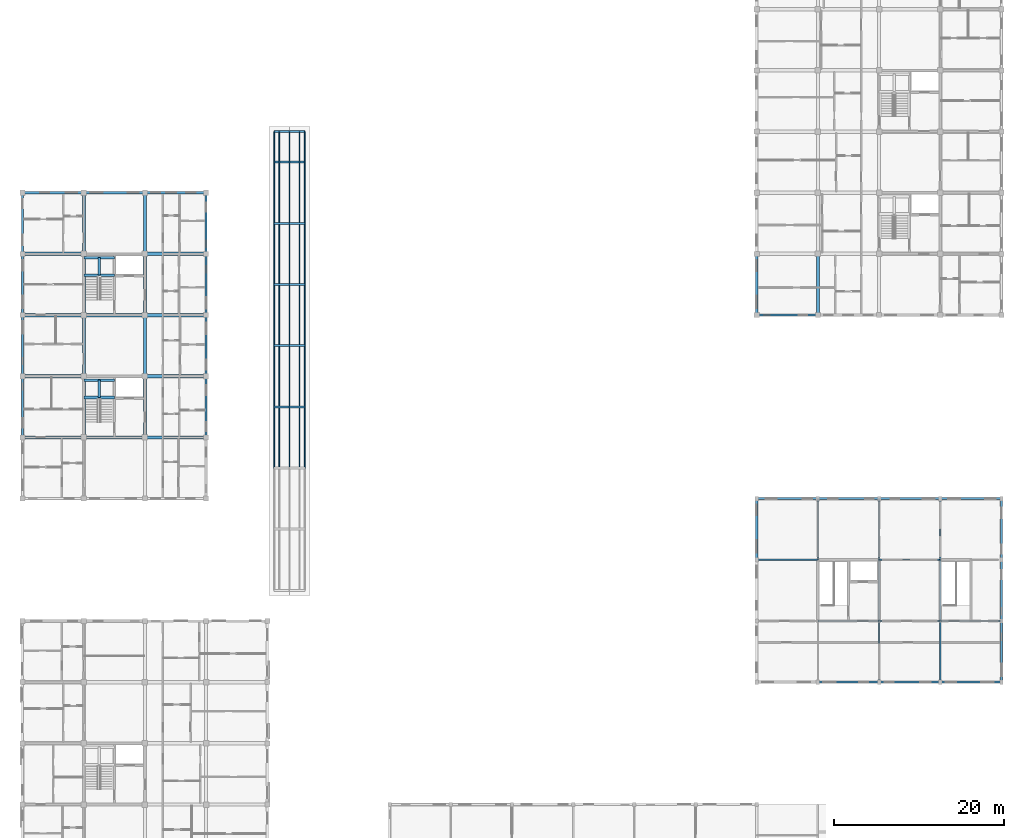
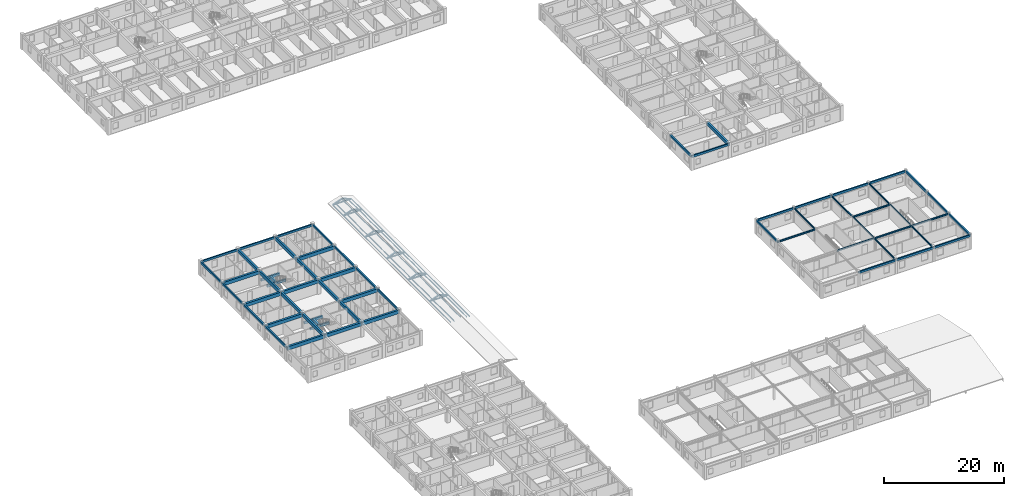
# One storey, part 10 of 50: 79 beams, 30 members.
"""IFC4 building model written with IfcOpenShell, lengths in metres."""

from ifc_helpers import new_model, si_unit, direction, frame, origin, origin_2d, place, context, subcontext, project, spatial, rectangle, i_section, extrude, material, material_profile, profile_set, type_object, element, save


model = new_model("IFC4")

# Units and contexts
model_context = context("Model", 3, precision=1e-05, world=origin(), true_north=direction((0.0, 1.0)))
body_context = subcontext(model_context, "Body", "Model", "MODEL_VIEW")
ifc_project = project(units=[si_unit("LENGTHUNIT", "METRE"), si_unit("AREAUNIT", "SQUARE_METRE"), si_unit("VOLUMEUNIT", "CUBIC_METRE"), si_unit("PLANEANGLEUNIT", "RADIAN"), si_unit("MASSUNIT", "GRAM", prefix="KILO"), si_unit("THERMODYNAMICTEMPERATUREUNIT", "KELVIN"), si_unit("POWERUNIT", "WATT")], contexts=[model_context])

# Site, building, storey
site_placement = place(None, origin())
site = spatial("IfcSite", under=ifc_project, at=site_placement, CompositionType="ELEMENT")
building_placement = place(site_placement, origin())
building = spatial("IfcBuilding", under=site, at=building_placement, Name="Tavuni Mirador Residences", CompositionType="ELEMENT")
storey_placement = place(building_placement, frame((0.0, 0.0, 4.5)))
storey = spatial("IfcBuildingStorey", under=building, at=storey_placement, Name="L01", CompositionType="ELEMENT", Elevation=4.5)

# Beams
ifc_material_1 = material(Name="Precast concrete C40/50", Category="concrete")
ifc_material_profile_1 = material_profile(ifc_material_1, rectangle(XDim=0.300048828125, YDim=0.5, at=origin_2d()), Name="PC 300x500", Category="concrete")
ifc_profile_set_1 = profile_set([ifc_material_profile_1], Name="Precast concrete C40/50")
beam_type_1 = type_object("IfcBeamType", Name="BT-B500", PredefinedType="BEAM", material=ifc_profile_set_1)
for number, where, z_axis, x_axis, name in (
    (1, (10.800048828125, 76.699951171875, 1.14501953125), (1.0, 0.0, 0.0), (0.0, 1.0, 0.0), "HLB1-C3-L01"),
    (2, (10.800048828125, 78.75, 1.14501953125), (1.0, 0.0, 0.0), (0.0, 1.0, 0.0), "HLB2-C3-L01"),
):
    element("IfcBeam", number, at=place(storey_placement, frame(where, z_axis=z_axis, x_axis=x_axis)), inside=storey, type_object=beam_type_1, Name=name, PredefinedType="BEAM", context=body_context, shape_type="SweptSolid", body=[
        extrude(rectangle(XDim=0.300048828125, YDim=0.5, at=origin_2d()), origin(), (0.0, 0.0, 1.0), 3.599853515625),
    ])
beam_1_placement = place(storey_placement, frame((12.60009765625, 76.699951171875, 1.14501953125), z_axis=(0.0, 1.0, 0.0), x_axis=(-1.0, 0.0, 0.0)))
element("IfcBeam", 3, at=beam_1_placement, inside=storey, type_object=beam_type_1, Name="HLB3-C3-L01", PredefinedType="BEAM", context=body_context, shape_type="SweptSolid", body=[
    extrude(rectangle(XDim=0.300048828125, YDim=0.5, at=origin_2d()), origin(), (0.0, 0.0, 1.0), 2.050048828125),
])
for number, where, z_axis, x_axis, name in (
    (4, (10.800048828125, 91.10009765625, 1.14501953125), (1.0, 0.0, 0.0), (0.0, 1.0, 0.0), "HLB1-C4-L01"),
    (5, (10.800048828125, 93.14990234375, 1.14501953125), (1.0, 0.0, 0.0), (0.0, 1.0, 0.0), "HLB2-C4-L01"),
):
    element("IfcBeam", number, at=place(storey_placement, frame(where, z_axis=z_axis, x_axis=x_axis)), inside=storey, type_object=beam_type_1, Name=name, PredefinedType="BEAM", context=body_context, shape_type="SweptSolid", body=[
        extrude(rectangle(XDim=0.300048828125, YDim=0.5, at=origin_2d()), origin(), (0.0, 0.0, 1.0), 3.599853515625),
    ])
beam_2_placement = place(storey_placement, frame((12.60009765625, 91.10009765625, 1.14501953125), z_axis=(0.0, 1.0, 0.0), x_axis=(-1.0, 0.0, 0.0)))
element("IfcBeam", 6, at=beam_2_placement, inside=storey, type_object=beam_type_1, Name="HLB3-C4-L01", PredefinedType="BEAM", context=body_context, shape_type="SweptSolid", body=[
    extrude(rectangle(XDim=0.300048828125, YDim=0.5, at=origin_2d()), origin(), (0.0, 0.0, 1.0), 2.0498046875),
])
ifc_material_profile_2 = material_profile(ifc_material_1, rectangle(XDim=0.35009765625, YDim=0.64990234375, at=origin_2d()), Name="PC 350x650", Category="concrete")
ifc_profile_set_2 = profile_set([ifc_material_profile_2], Name="Precast concrete C40/50")
beam_type_2 = type_object("IfcBeamType", Name="BT-B650", PredefinedType="BEAM", material=ifc_profile_set_2)
for number, where, z_axis, x_axis, name in (
    (7, (10.800048828125, 72.0, 2.5849609375), (0.0, 1.0, 0.0), (-1.0, 0.0, 0.0), "BMY-BLK-B-L01-01-01"),
    (8, (10.800048828125, 79.199951171875, 2.5849609375), (0.0, 1.0, 0.0), (-1.0, 0.0, 0.0), "BMY-BLK-B-L01-01-02"),
):
    element("IfcBeam", number, at=place(storey_placement, frame(where, z_axis=z_axis, x_axis=x_axis)), inside=storey, type_object=beam_type_2, Name=name, PredefinedType="BEAM", context=body_context, shape_type="SweptSolid", body=[
        extrude(rectangle(XDim=0.35009765625, YDim=0.64990234375, at=origin_2d()), origin(), (0.0, 0.0, 1.0), 7.199951171875),
    ])
beam_3_placement = place(storey_placement, frame((10.800048828125, 86.39990234375, 2.5849609375), z_axis=(0.0, 1.0, 0.0), x_axis=(-1.0, 0.0, 0.0)))
element("IfcBeam", 9, at=beam_3_placement, inside=storey, type_object=beam_type_2, Name="BMY-BLK-B-L01-01-03", PredefinedType="BEAM", context=body_context, shape_type="SweptSolid", body=[
    extrude(rectangle(XDim=0.35009765625, YDim=0.64990234375, at=origin_2d()), origin(), (0.0, 0.0, 1.0), 7.2001953125),
])
for number, where, z_axis, x_axis, name in (
    (10, (10.800048828125, 93.60009765625, 2.5849609375), (0.0, 1.0, 0.0), (-1.0, 0.0, 0.0), "BMY-BLK-B-L01-01-04"),
    (11, (18.0, 72.0, 2.5849609375), (0.0, 1.0, 0.0), (-1.0, 0.0, 0.0), "BMY-BLK-B-L01-02-01"),
    (12, (18.0, 79.199951171875, 2.5849609375), (0.0, 1.0, 0.0), (-1.0, 0.0, 0.0), "BMY-BLK-B-L01-02-02"),
):
    element("IfcBeam", number, at=place(storey_placement, frame(where, z_axis=z_axis, x_axis=x_axis)), inside=storey, type_object=beam_type_2, Name=name, PredefinedType="BEAM", context=body_context, shape_type="SweptSolid", body=[
        extrude(rectangle(XDim=0.35009765625, YDim=0.64990234375, at=origin_2d()), origin(), (0.0, 0.0, 1.0), 7.199951171875),
    ])
beam_4_placement = place(storey_placement, frame((18.0, 86.39990234375, 2.5849609375), z_axis=(0.0, 1.0, 0.0), x_axis=(-1.0, 0.0, 0.0)))
element("IfcBeam", 13, at=beam_4_placement, inside=storey, type_object=beam_type_2, Name="BMY-BLK-B-L01-02-03", PredefinedType="BEAM", context=body_context, shape_type="SweptSolid", body=[
    extrude(rectangle(XDim=0.35009765625, YDim=0.64990234375, at=origin_2d()), origin(), (0.0, 0.0, 1.0), 7.2001953125),
])
beam_5_placement = place(storey_placement, frame((18.0, 93.60009765625, 2.5849609375), z_axis=(0.0, 1.0, 0.0), x_axis=(-1.0, 0.0, 0.0)))
element("IfcBeam", 14, at=beam_5_placement, inside=storey, type_object=beam_type_2, Name="BMY-BLK-B-L01-02-04", PredefinedType="BEAM", context=body_context, shape_type="SweptSolid", body=[
    extrude(rectangle(XDim=0.35009765625, YDim=0.64990234375, at=origin_2d()), origin(), (0.0, 0.0, 1.0), 7.199951171875),
])
beam_6_placement = place(storey_placement, frame((97.199951171875, 86.39990234375, 2.56494140625), z_axis=(0.0, 1.0, 0.0), x_axis=(-1.0, 0.0, 0.0)))
element("IfcBeam", 15, at=beam_6_placement, inside=storey, type_object=beam_type_2, Name="BMY-BLK-D-L01-01-00", PredefinedType="BEAM", context=body_context, shape_type="SweptSolid", body=[
    extrude(rectangle(XDim=0.35009765625, YDim=0.64990234375, at=origin_2d()), origin(), (0.0, 0.0, 1.0), 7.2001953125),
])
ifc_material_profile_3 = material_profile(ifc_material_1, rectangle(XDim=0.39990234375, YDim=0.699951171875, at=origin_2d()), Name="PC 400x700", Category="concrete")
ifc_profile_set_3 = profile_set([ifc_material_profile_3], Name="Precast concrete C40/50")
beam_type_3 = type_object("IfcBeamType", Name="BT-B700", PredefinedType="BEAM", material=ifc_profile_set_3)
for number, where, z_axis, x_axis, name in (
    (16, (3.60009765625, 72.0, 2.56005859375), (1.0, 0.0, 0.0), (0.0, 1.0, 0.0), "BMX-BLK-B-L01-00-01"),
    (17, (10.800048828125, 72.0, 2.56005859375), (1.0, 0.0, 0.0), (0.0, 1.0, 0.0), "BMX-BLK-B-L01-01-01"),
    (18, (18.0, 72.0, 2.56005859375), (1.0, 0.0, 0.0), (0.0, 1.0, 0.0), "BMX-BLK-B-L01-02-01"),
    (19, (3.60009765625, 79.199951171875, 2.56005859375), (1.0, 0.0, 0.0), (0.0, 1.0, 0.0), "BMX-BLK-B-L01-00-02"),
    (20, (18.0, 79.199951171875, 2.56005859375), (1.0, 0.0, 0.0), (0.0, 1.0, 0.0), "BMX-BLK-B-L01-02-02"),
    (21, (3.60009765625, 86.39990234375, 2.56005859375), (1.0, 0.0, 0.0), (0.0, 1.0, 0.0), "BMX-BLK-B-L01-00-03"),
    (22, (10.800048828125, 86.39990234375, 2.56005859375), (1.0, 0.0, 0.0), (0.0, 1.0, 0.0), "BMX-BLK-B-L01-01-03"),
    (23, (18.0, 86.39990234375, 2.56005859375), (1.0, 0.0, 0.0), (0.0, 1.0, 0.0), "BMX-BLK-B-L01-02-03"),
    (24, (3.60009765625, 93.60009765625, 2.56005859375), (1.0, 0.0, 0.0), (0.0, 1.0, 0.0), "BMX-BLK-B-L01-00-04"),
    (25, (18.0, 93.60009765625, 2.56005859375), (1.0, 0.0, 0.0), (0.0, 1.0, 0.0), "BMX-BLK-B-L01-02-04"),
):
    element("IfcBeam", number, at=place(storey_placement, frame(where, z_axis=z_axis, x_axis=x_axis)), inside=storey, type_object=beam_type_3, Name=name, PredefinedType="BEAM", context=body_context, shape_type="SweptSolid", body=[
        extrude(rectangle(XDim=0.39990234375, YDim=0.699951171875, at=origin_2d()), origin(), (0.0, 0.0, 1.0), 7.199951171875),
    ])
ifc_material_profile_4 = material_profile(ifc_material_1, rectangle(XDim=0.25, YDim=0.419921875, at=origin_2d()), Name="PC 250x420", Category="concrete")
ifc_profile_set_4 = profile_set([ifc_material_profile_4], Name="Precast concrete C40/50")
beam_type_4 = type_object("IfcBeamType", Name="BT-SP420", PredefinedType="SPANDREL", material=ifc_profile_set_4)
for number, where, z_axis, x_axis, name in (
    (26, (3.60009765625, 100.800048828125, 2.699951171875), (1.0, 0.0, 0.0), (0.0, 1.0, 0.0), "BMX-BLK-B-L01-00-05"),
    (27, (10.800048828125, 100.800048828125, 2.699951171875), (1.0, 0.0, 0.0), (0.0, 1.0, 0.0), "BMX-BLK-B-L01-01-05"),
    (28, (18.0, 100.800048828125, 2.699951171875), (1.0, 0.0, 0.0), (0.0, 1.0, 0.0), "BMX-BLK-B-L01-02-05"),
    (29, (3.60009765625, 72.0, 2.699951171875), (0.0, 1.0, 0.0), (-1.0, 0.0, 0.0), "BMY-BLK-B-L01-00-01"),
    (30, (3.60009765625, 79.199951171875, 2.699951171875), (0.0, 1.0, 0.0), (-1.0, 0.0, 0.0), "BMY-BLK-B-L01-00-02"),
):
    element("IfcBeam", number, at=place(storey_placement, frame(where, z_axis=z_axis, x_axis=x_axis)), inside=storey, type_object=beam_type_4, Name=name, PredefinedType="SPANDREL", context=body_context, shape_type="SweptSolid", body=[
        extrude(rectangle(XDim=0.25, YDim=0.419921875, at=origin_2d()), origin(), (0.0, 0.0, 1.0), 7.199951171875),
    ])
beam_7_placement = place(storey_placement, frame((3.60009765625, 86.39990234375, 2.699951171875), z_axis=(0.0, 1.0, 0.0), x_axis=(-1.0, 0.0, 0.0)))
element("IfcBeam", 31, at=beam_7_placement, inside=storey, type_object=beam_type_4, Name="BMY-BLK-B-L01-00-03", PredefinedType="SPANDREL", context=body_context, shape_type="SweptSolid", body=[
    extrude(rectangle(XDim=0.25, YDim=0.419921875, at=origin_2d()), origin(), (0.0, 0.0, 1.0), 7.2001953125),
])
for number, where, z_axis, x_axis, name in (
    (32, (3.60009765625, 93.60009765625, 2.699951171875), (0.0, 1.0, 0.0), (-1.0, 0.0, 0.0), "BMY-BLK-B-L01-00-04"),
    (33, (25.199951171875, 72.0, 2.699951171875), (0.0, 1.0, 0.0), (-1.0, 0.0, 0.0), "BMY-BLK-B-L01-03-01"),
    (34, (25.199951171875, 79.199951171875, 2.699951171875), (0.0, 1.0, 0.0), (-1.0, 0.0, 0.0), "BMY-BLK-B-L01-03-02"),
):
    element("IfcBeam", number, at=place(storey_placement, frame(where, z_axis=z_axis, x_axis=x_axis)), inside=storey, type_object=beam_type_4, Name=name, PredefinedType="SPANDREL", context=body_context, shape_type="SweptSolid", body=[
        extrude(rectangle(XDim=0.25, YDim=0.419921875, at=origin_2d()), origin(), (0.0, 0.0, 1.0), 7.199951171875),
    ])
beam_8_placement = place(storey_placement, frame((25.199951171875, 86.39990234375, 2.699951171875), z_axis=(0.0, 1.0, 0.0), x_axis=(-1.0, 0.0, 0.0)))
element("IfcBeam", 35, at=beam_8_placement, inside=storey, type_object=beam_type_4, Name="BMY-BLK-B-L01-03-03", PredefinedType="SPANDREL", context=body_context, shape_type="SweptSolid", body=[
    extrude(rectangle(XDim=0.25, YDim=0.419921875, at=origin_2d()), origin(), (0.0, 0.0, 1.0), 7.2001953125),
])
for number, where, z_axis, x_axis, name in (
    (36, (25.199951171875, 93.60009765625, 2.699951171875), (0.0, 1.0, 0.0), (-1.0, 0.0, 0.0), "BMY-BLK-B-L01-03-04"),
    (37, (90.0, 86.39990234375, 2.679931640625), (1.0, 0.0, 0.0), (0.0, 1.0, 0.0), "BMX-BLK-D-L01-00-00"),
):
    element("IfcBeam", number, at=place(storey_placement, frame(where, z_axis=z_axis, x_axis=x_axis)), inside=storey, type_object=beam_type_4, Name=name, PredefinedType="SPANDREL", context=body_context, shape_type="SweptSolid", body=[
        extrude(rectangle(XDim=0.25, YDim=0.419921875, at=origin_2d()), origin(), (0.0, 0.0, 1.0), 7.199951171875),
    ])
beam_9_placement = place(storey_placement, frame((90.0, 86.39990234375, 2.679931640625), z_axis=(0.0, 1.0, 0.0), x_axis=(-1.0, 0.0, 0.0)))
element("IfcBeam", 38, at=beam_9_placement, inside=storey, type_object=beam_type_4, Name="BMY-BLK-D-L01-00-00", PredefinedType="SPANDREL", context=body_context, shape_type="SweptSolid", body=[
    extrude(rectangle(XDim=0.25, YDim=0.419921875, at=origin_2d()), origin(), (0.0, 0.0, 1.0), 7.2001953125),
])
beam_10_placement = place(storey_placement, frame((97.199951171875, 43.199951171875, 2.7099609375), z_axis=(1.0, 0.0, 0.0), x_axis=(0.0, 1.0, 0.0)))
element("IfcBeam", 39, at=beam_10_placement, inside=storey, type_object=beam_type_4, Name="BMX-PAV-NURS-L01-01-00", PredefinedType="SPANDREL", context=body_context, shape_type="SweptSolid", body=[
    extrude(rectangle(XDim=0.25, YDim=0.419921875, at=origin_2d()), origin(), (0.0, 0.0, 1.0), 7.199951171875),
])
beam_11_placement = place(storey_placement, frame((104.39990234375, 43.199951171875, 2.7099609375), z_axis=(1.0, 0.0, 0.0), x_axis=(0.0, 1.0, 0.0)))
element("IfcBeam", 40, at=beam_11_placement, inside=storey, type_object=beam_type_4, Name="BMX-PAV-NURS-L01-02-00", PredefinedType="SPANDREL", context=body_context, shape_type="SweptSolid", body=[
    extrude(rectangle(XDim=0.25, YDim=0.419921875, at=origin_2d()), origin(), (0.0, 0.0, 1.0), 7.2001953125),
])
for number, where, z_axis, x_axis, name in (
    (41, (111.60009765625, 43.199951171875, 2.7099609375), (1.0, 0.0, 0.0), (0.0, 1.0, 0.0), "BMX-PAV-NURS-L01-03-00"),
    (42, (90.0, 64.800048828125, 2.7099609375), (1.0, 0.0, 0.0), (0.0, 1.0, 0.0), "BMX-PAV-NURS-L01-00-03"),
    (43, (97.199951171875, 64.800048828125, 2.7099609375), (1.0, 0.0, 0.0), (0.0, 1.0, 0.0), "BMX-PAV-NURS-L01-01-03"),
):
    element("IfcBeam", number, at=place(storey_placement, frame(where, z_axis=z_axis, x_axis=x_axis)), inside=storey, type_object=beam_type_4, Name=name, PredefinedType="SPANDREL", context=body_context, shape_type="SweptSolid", body=[
        extrude(rectangle(XDim=0.25, YDim=0.419921875, at=origin_2d()), origin(), (0.0, 0.0, 1.0), 7.199951171875),
    ])
beam_12_placement = place(storey_placement, frame((104.39990234375, 64.800048828125, 2.7099609375), z_axis=(1.0, 0.0, 0.0), x_axis=(0.0, 1.0, 0.0)))
element("IfcBeam", 44, at=beam_12_placement, inside=storey, type_object=beam_type_4, Name="BMX-PAV-NURS-L01-02-03", PredefinedType="SPANDREL", context=body_context, shape_type="SweptSolid", body=[
    extrude(rectangle(XDim=0.25, YDim=0.419921875, at=origin_2d()), origin(), (0.0, 0.0, 1.0), 7.2001953125),
])
for number, where, z_axis, x_axis, name in (
    (45, (111.60009765625, 64.800048828125, 2.7099609375), (1.0, 0.0, 0.0), (0.0, 1.0, 0.0), "BMX-PAV-NURS-L01-03-03"),
    (46, (90.0, 57.60009765625, 2.7099609375), (0.0, 1.0, 0.0), (-1.0, 0.0, 0.0), "BMY-PAV-NURS-L01-00-02"),
    (47, (118.800048828125, 43.199951171875, 2.7099609375), (0.0, 1.0, 0.0), (-1.0, 0.0, 0.0), "BMY-PAV-NURS-L01-04-00"),
):
    element("IfcBeam", number, at=place(storey_placement, frame(where, z_axis=z_axis, x_axis=x_axis)), inside=storey, type_object=beam_type_4, Name=name, PredefinedType="SPANDREL", context=body_context, shape_type="SweptSolid", body=[
        extrude(rectangle(XDim=0.25, YDim=0.419921875, at=origin_2d()), origin(), (0.0, 0.0, 1.0), 7.199951171875),
    ])
beam_13_placement = place(storey_placement, frame((118.800048828125, 50.39990234375, 2.7099609375), z_axis=(0.0, 1.0, 0.0), x_axis=(-1.0, 0.0, 0.0)))
element("IfcBeam", 48, at=beam_13_placement, inside=storey, type_object=beam_type_4, Name="BMY-PAV-NURS-L01-04-01", PredefinedType="SPANDREL", context=body_context, shape_type="SweptSolid", body=[
    extrude(rectangle(XDim=0.25, YDim=0.419921875, at=origin_2d()), origin(), (0.0, 0.0, 1.0), 7.2001953125),
])
beam_14_placement = place(storey_placement, frame((118.800048828125, 57.60009765625, 2.7099609375), z_axis=(0.0, 1.0, 0.0), x_axis=(-1.0, 0.0, 0.0)))
element("IfcBeam", 49, at=beam_14_placement, inside=storey, type_object=beam_type_4, Name="BMY-PAV-NURS-L01-04-02", PredefinedType="SPANDREL", context=body_context, shape_type="SweptSolid", body=[
    extrude(rectangle(XDim=0.25, YDim=0.419921875, at=origin_2d()), origin(), (0.0, 0.0, 1.0), 7.199951171875),
])
ifc_material_2 = material(Name="Structural steel S355", Category="steel")
ifc_material_profile_5 = material_profile(ifc_material_2, i_section(OverallWidth=0.219970703125, OverallDepth=0.2099609375, WebThickness=0.007080078125, FlangeThickness=0.010986328125, FilletRadius=0.01806640625, at=origin_2d()), Name="HEA 220", Category="steel")
ifc_profile_set_5 = profile_set([ifc_material_profile_5], Name="Structural steel S355")
beam_type_5 = type_object("IfcBeamType", Name="BT-ST-HEA220", PredefinedType="SPANDREL", material=ifc_profile_set_5)
for number, where, z_axis, x_axis, name in (
    (50, (33.199951171875, 75.60009765625, -0.419921875), (1.0, 0.0, 0.0), (0.0, 1.0, 0.0), "COLO-TIE-03"),
    (51, (33.199951171875, 82.800048828125, -0.419921875), (1.0, 0.0, 0.0), (0.0, 1.0, 0.0), "COLO-TIE-04"),
    (52, (33.199951171875, 90.0, -0.419921875), (1.0, 0.0, 0.0), (0.0, 1.0, 0.0), "COLO-TIE-05"),
    (53, (33.199951171875, 97.199951171875, -0.419921875), (1.0, 0.0, 0.0), (0.0, 1.0, 0.0), "COLO-TIE-06"),
    (54, (33.199951171875, 104.39990234375, -0.419921875), (1.0, 0.0, 0.0), (0.0, 1.0, 0.0), "COLO-TIE-07"),
    (55, (33.199951171875, 108.0, -0.419921875), (1.0, 0.0, 0.0), (0.0, 1.0, 0.0), "COLO-TIE-08"),
):
    element("IfcBeam", number, at=place(storey_placement, frame(where, z_axis=z_axis, x_axis=x_axis)), inside=storey, type_object=beam_type_5, Name=name, PredefinedType="SPANDREL", context=body_context, shape_type="SweptSolid", body=[
        extrude(i_section(OverallWidth=0.219970703125, OverallDepth=0.2099609375, WebThickness=0.007080078125, FlangeThickness=0.010986328125, FilletRadius=0.01806640625, at=origin_2d()), origin(), (0.0, 0.0, 1.0), 3.60009765625),
    ])
ifc_material_profile_6 = material_profile(ifc_material_2, i_section(OverallWidth=0.110107421875, OverallDepth=0.219970703125, WebThickness=0.005859375, FlangeThickness=0.00927734375, FilletRadius=0.011962890625, at=origin_2d()), Name="IPE 220", Category="steel")
ifc_profile_set_6 = profile_set([ifc_material_profile_6], Name="Structural steel S355")
beam_type_6 = type_object("IfcBeamType", Name="BT-ST-IPE220", PredefinedType="JOIST", material=ifc_profile_set_6)
for number, where, z_axis, x_axis, name in (
    (56, (33.199951171875, 68.39990234375, -0.419921875), (0.0, 1.0, 0.0), (-1.0, 0.0, 0.0), "COLO-EB-W-02"),
    (57, (36.800048828125, 68.39990234375, -0.419921875), (0.0, 1.0, 0.0), (-1.0, 0.0, 0.0), "COLO-EB-E-02"),
):
    element("IfcBeam", number, at=place(storey_placement, frame(where, z_axis=z_axis, x_axis=x_axis)), inside=storey, type_object=beam_type_6, Name=name, PredefinedType="JOIST", context=body_context, shape_type="SweptSolid", body=[
        extrude(i_section(OverallWidth=0.110107421875, OverallDepth=0.219970703125, WebThickness=0.005859375, FlangeThickness=0.00927734375, FilletRadius=0.011962890625, at=origin_2d()), origin(), (0.0, 0.0, 1.0), 7.2001953125),
    ])
for number, where, z_axis, x_axis, name in (
    (58, (33.199951171875, 75.60009765625, -0.419921875), (0.0, 1.0, 0.0), (-1.0, 0.0, 0.0), "COLO-EB-W-03"),
    (59, (36.800048828125, 75.60009765625, -0.419921875), (0.0, 1.0, 0.0), (-1.0, 0.0, 0.0), "COLO-EB-E-03"),
    (60, (33.199951171875, 82.800048828125, -0.419921875), (0.0, 1.0, 0.0), (-1.0, 0.0, 0.0), "COLO-EB-W-04"),
    (61, (36.800048828125, 82.800048828125, -0.419921875), (0.0, 1.0, 0.0), (-1.0, 0.0, 0.0), "COLO-EB-E-04"),
    (62, (33.199951171875, 90.0, -0.419921875), (0.0, 1.0, 0.0), (-1.0, 0.0, 0.0), "COLO-EB-W-05"),
    (63, (36.800048828125, 90.0, -0.419921875), (0.0, 1.0, 0.0), (-1.0, 0.0, 0.0), "COLO-EB-E-05"),
    (64, (33.199951171875, 97.199951171875, -0.419921875), (0.0, 1.0, 0.0), (-1.0, 0.0, 0.0), "COLO-EB-W-06"),
    (65, (36.800048828125, 97.199951171875, -0.419921875), (0.0, 1.0, 0.0), (-1.0, 0.0, 0.0), "COLO-EB-E-06"),
):
    element("IfcBeam", number, at=place(storey_placement, frame(where, z_axis=z_axis, x_axis=x_axis)), inside=storey, type_object=beam_type_6, Name=name, PredefinedType="JOIST", context=body_context, shape_type="SweptSolid", body=[
        extrude(i_section(OverallWidth=0.110107421875, OverallDepth=0.219970703125, WebThickness=0.005859375, FlangeThickness=0.00927734375, FilletRadius=0.011962890625, at=origin_2d()), origin(), (0.0, 0.0, 1.0), 7.199951171875),
    ])
for number, where, z_axis, x_axis, name in (
    (66, (33.199951171875, 104.39990234375, -0.419921875), (0.0, 1.0, 0.0), (-1.0, 0.0, 0.0), "COLO-EB-W-07"),
    (67, (36.800048828125, 104.39990234375, -0.419921875), (0.0, 1.0, 0.0), (-1.0, 0.0, 0.0), "COLO-EB-E-07"),
):
    element("IfcBeam", number, at=place(storey_placement, frame(where, z_axis=z_axis, x_axis=x_axis)), inside=storey, type_object=beam_type_6, Name=name, PredefinedType="JOIST", context=body_context, shape_type="SweptSolid", body=[
        extrude(i_section(OverallWidth=0.110107421875, OverallDepth=0.219970703125, WebThickness=0.005859375, FlangeThickness=0.00927734375, FilletRadius=0.011962890625, at=origin_2d()), origin(), (0.0, 0.0, 1.0), 3.60009765625),
    ])
ifc_material_profile_7 = material_profile(ifc_material_2, i_section(OverallWidth=0.14990234375, OverallDepth=0.300048828125, WebThickness=0.007080078125, FlangeThickness=0.0107421875, FilletRadius=0.014892578125, at=origin_2d()), Name="IPE 300", Category="steel")
ifc_profile_set_7 = profile_set([ifc_material_profile_7], Name="Structural steel S355")
beam_type_7 = type_object("IfcBeamType", Name="BT-ST-IPE300", PredefinedType="BEAM", material=ifc_profile_set_7)
for number, where, z_axis, x_axis, name in (
    (68, (97.199951171875, 57.60009765625, 2.77001953125), (0.0, 1.0, 0.0), (-1.0, 0.0, 0.0), "BMY-PAV-NURS-L01-01-02"),
    (69, (104.39990234375, 43.199951171875, 2.77001953125), (0.0, 1.0, 0.0), (-1.0, 0.0, 0.0), "BMY-PAV-NURS-L01-02-00"),
):
    element("IfcBeam", number, at=place(storey_placement, frame(where, z_axis=z_axis, x_axis=x_axis)), inside=storey, type_object=beam_type_7, Name=name, PredefinedType="BEAM", context=body_context, shape_type="SweptSolid", body=[
        extrude(i_section(OverallWidth=0.14990234375, OverallDepth=0.300048828125, WebThickness=0.007080078125, FlangeThickness=0.0107421875, FilletRadius=0.014892578125, at=origin_2d()), origin(), (0.0, 0.0, 1.0), 7.199951171875),
    ])
beam_15_placement = place(storey_placement, frame((104.39990234375, 50.39990234375, 2.77001953125), z_axis=(0.0, 1.0, 0.0), x_axis=(-1.0, 0.0, 0.0)))
element("IfcBeam", 70, at=beam_15_placement, inside=storey, type_object=beam_type_7, Name="BMY-PAV-NURS-L01-02-01", PredefinedType="BEAM", context=body_context, shape_type="SweptSolid", body=[
    extrude(i_section(OverallWidth=0.14990234375, OverallDepth=0.300048828125, WebThickness=0.007080078125, FlangeThickness=0.0107421875, FilletRadius=0.014892578125, at=origin_2d()), origin(), (0.0, 0.0, 1.0), 7.2001953125),
])
for number, where, z_axis, x_axis, name in (
    (71, (104.39990234375, 57.60009765625, 2.77001953125), (0.0, 1.0, 0.0), (-1.0, 0.0, 0.0), "BMY-PAV-NURS-L01-02-02"),
    (72, (111.60009765625, 43.199951171875, 2.77001953125), (0.0, 1.0, 0.0), (-1.0, 0.0, 0.0), "BMY-PAV-NURS-L01-03-00"),
):
    element("IfcBeam", number, at=place(storey_placement, frame(where, z_axis=z_axis, x_axis=x_axis)), inside=storey, type_object=beam_type_7, Name=name, PredefinedType="BEAM", context=body_context, shape_type="SweptSolid", body=[
        extrude(i_section(OverallWidth=0.14990234375, OverallDepth=0.300048828125, WebThickness=0.007080078125, FlangeThickness=0.0107421875, FilletRadius=0.014892578125, at=origin_2d()), origin(), (0.0, 0.0, 1.0), 7.199951171875),
    ])
beam_16_placement = place(storey_placement, frame((111.60009765625, 50.39990234375, 2.77001953125), z_axis=(0.0, 1.0, 0.0), x_axis=(-1.0, 0.0, 0.0)))
element("IfcBeam", 73, at=beam_16_placement, inside=storey, type_object=beam_type_7, Name="BMY-PAV-NURS-L01-03-01", PredefinedType="BEAM", context=body_context, shape_type="SweptSolid", body=[
    extrude(i_section(OverallWidth=0.14990234375, OverallDepth=0.300048828125, WebThickness=0.007080078125, FlangeThickness=0.0107421875, FilletRadius=0.014892578125, at=origin_2d()), origin(), (0.0, 0.0, 1.0), 7.2001953125),
])
beam_17_placement = place(storey_placement, frame((111.60009765625, 57.60009765625, 2.77001953125), z_axis=(0.0, 1.0, 0.0), x_axis=(-1.0, 0.0, 0.0)))
element("IfcBeam", 74, at=beam_17_placement, inside=storey, type_object=beam_type_7, Name="BMY-PAV-NURS-L01-03-02", PredefinedType="BEAM", context=body_context, shape_type="SweptSolid", body=[
    extrude(i_section(OverallWidth=0.14990234375, OverallDepth=0.300048828125, WebThickness=0.007080078125, FlangeThickness=0.0107421875, FilletRadius=0.014892578125, at=origin_2d()), origin(), (0.0, 0.0, 1.0), 7.199951171875),
])
ifc_material_profile_8 = material_profile(ifc_material_2, i_section(OverallWidth=0.159912109375, OverallDepth=0.330078125, WebThickness=0.007568359375, FlangeThickness=0.011474609375, FilletRadius=0.01806640625, at=origin_2d()), Name="IPE 330", Category="steel")
ifc_profile_set_8 = profile_set([ifc_material_profile_8], Name="Structural steel S355")
beam_type_8 = type_object("IfcBeamType", Name="BT-ST-IPE330", PredefinedType="BEAM", material=ifc_profile_set_8)
beam_18_placement = place(storey_placement, frame((97.199951171875, 50.39990234375, 2.7548828125), z_axis=(1.0, 0.0, 0.0), x_axis=(0.0, 1.0, 0.0)))
element("IfcBeam", 75, at=beam_18_placement, inside=storey, type_object=beam_type_8, Name="BMX-PAV-NURS-L01-01-01", PredefinedType="BEAM", context=body_context, shape_type="SweptSolid", body=[
    extrude(i_section(OverallWidth=0.159912109375, OverallDepth=0.330078125, WebThickness=0.007568359375, FlangeThickness=0.011474609375, FilletRadius=0.01806640625, at=origin_2d()), origin(), (0.0, 0.0, 1.0), 7.199951171875),
])
beam_19_placement = place(storey_placement, frame((104.39990234375, 50.39990234375, 2.7548828125), z_axis=(1.0, 0.0, 0.0), x_axis=(0.0, 1.0, 0.0)))
element("IfcBeam", 76, at=beam_19_placement, inside=storey, type_object=beam_type_8, Name="BMX-PAV-NURS-L01-02-01", PredefinedType="BEAM", context=body_context, shape_type="SweptSolid", body=[
    extrude(i_section(OverallWidth=0.159912109375, OverallDepth=0.330078125, WebThickness=0.007568359375, FlangeThickness=0.011474609375, FilletRadius=0.01806640625, at=origin_2d()), origin(), (0.0, 0.0, 1.0), 7.2001953125),
])
for number, where, z_axis, x_axis, name in (
    (77, (111.60009765625, 50.39990234375, 2.7548828125), (1.0, 0.0, 0.0), (0.0, 1.0, 0.0), "BMX-PAV-NURS-L01-03-01"),
    (78, (90.0, 57.60009765625, 2.7548828125), (1.0, 0.0, 0.0), (0.0, 1.0, 0.0), "BMX-PAV-NURS-L01-00-02"),
):
    element("IfcBeam", number, at=place(storey_placement, frame(where, z_axis=z_axis, x_axis=x_axis)), inside=storey, type_object=beam_type_8, Name=name, PredefinedType="BEAM", context=body_context, shape_type="SweptSolid", body=[
        extrude(i_section(OverallWidth=0.159912109375, OverallDepth=0.330078125, WebThickness=0.007568359375, FlangeThickness=0.011474609375, FilletRadius=0.01806640625, at=origin_2d()), origin(), (0.0, 0.0, 1.0), 7.199951171875),
    ])
beam_20_placement = place(storey_placement, frame((104.39990234375, 57.60009765625, 2.7548828125), z_axis=(1.0, 0.0, 0.0), x_axis=(0.0, 1.0, 0.0)))
element("IfcBeam", 79, at=beam_20_placement, inside=storey, type_object=beam_type_8, Name="BMX-PAV-NURS-L01-02-02", PredefinedType="BEAM", context=body_context, shape_type="SweptSolid", body=[
    extrude(i_section(OverallWidth=0.159912109375, OverallDepth=0.330078125, WebThickness=0.007568359375, FlangeThickness=0.011474609375, FilletRadius=0.01806640625, at=origin_2d()), origin(), (0.0, 0.0, 1.0), 7.2001953125),
])

# Members
ifc_material_profile_9 = material_profile(ifc_material_2, i_section(OverallWidth=0.239990234375, OverallDepth=0.22998046875, WebThickness=0.007568359375, FlangeThickness=0.011962890625, FilletRadius=0.02099609375, at=origin_2d()), Name="HEA 240", Category="steel")
ifc_profile_set_9 = profile_set([ifc_material_profile_9], Name="Structural steel S355")
member_type_1 = type_object("IfcMemberType", Name="MT-CH-HEA240", PredefinedType="CHORD", material=ifc_profile_set_9)
for number, where, z_axis, x_axis, name in (
    (80, (33.199951171875, 75.60009765625, -0.419921875), (0.942235306074, 0.0, 0.334951680079), (0.0, 1.0, 0.0), "COLO-RAF-W-03"),
    (81, (35.0, 75.60009765625, 0.219970703125), (0.942235306074, 0.0, -0.334951680079), (0.0, 1.0, 0.0), "COLO-RAF-E-03"),
    (82, (33.199951171875, 82.800048828125, -0.419921875), (0.942235306074, 0.0, 0.334951680079), (0.0, 1.0, 0.0), "COLO-RAF-W-04"),
    (83, (35.0, 82.800048828125, 0.219970703125), (0.942235306074, 0.0, -0.334951680079), (0.0, 1.0, 0.0), "COLO-RAF-E-04"),
    (84, (33.199951171875, 90.0, -0.419921875), (0.942235306074, 0.0, 0.334951680079), (0.0, 1.0, 0.0), "COLO-RAF-W-05"),
    (85, (35.0, 90.0, 0.219970703125), (0.942235306074, 0.0, -0.334951680079), (0.0, 1.0, 0.0), "COLO-RAF-E-05"),
    (86, (33.199951171875, 97.199951171875, -0.419921875), (0.942235306074, 0.0, 0.334951680079), (0.0, 1.0, 0.0), "COLO-RAF-W-06"),
    (87, (35.0, 97.199951171875, 0.219970703125), (0.942235306074, 0.0, -0.334951680079), (0.0, 1.0, 0.0), "COLO-RAF-E-06"),
    (88, (33.199951171875, 104.39990234375, -0.419921875), (0.942235306074, 0.0, 0.334951680079), (0.0, 1.0, 0.0), "COLO-RAF-W-07"),
    (89, (35.0, 104.39990234375, 0.219970703125), (0.942235306074, 0.0, -0.334951680079), (0.0, 1.0, 0.0), "COLO-RAF-E-07"),
    (90, (33.199951171875, 108.0, -0.419921875), (0.942235306074, 0.0, 0.334951680079), (0.0, 1.0, 0.0), "COLO-RAF-W-08"),
    (91, (35.0, 108.0, 0.219970703125), (0.942235306074, 0.0, -0.334951680079), (0.0, 1.0, 0.0), "COLO-RAF-E-08"),
):
    element("IfcMember", number, at=place(storey_placement, frame(where, z_axis=z_axis, x_axis=x_axis)), inside=storey, type_object=member_type_1, Name=name, PredefinedType="CHORD", context=body_context, shape_type="SweptSolid", body=[
        extrude(i_section(OverallWidth=0.239990234375, OverallDepth=0.22998046875, WebThickness=0.007568359375, FlangeThickness=0.011962890625, FilletRadius=0.02099609375, at=origin_2d()), origin(), (0.0, 0.0, 1.0), 1.910400390625),
    ])
ifc_material_profile_10 = material_profile(ifc_material_2, i_section(OverallWidth=0.08203125, OverallDepth=0.159912109375, WebThickness=0.0048828125, FlangeThickness=0.00732421875, FilletRadius=0.009033203125, at=origin_2d()), Name="IPE 160", Category="steel")
ifc_profile_set_10 = profile_set([ifc_material_profile_10], Name="Structural steel S355")
member_type_2 = type_object("IfcMemberType", Name="MT-PR-IPE160", PredefinedType="PURLIN", material=ifc_profile_set_10)
for number, where, z_axis, x_axis, name in (
    (92, (33.800048828125, 68.39990234375, -0.300048828125), (0.0, 1.0, 0.0), (-1.0, 0.0, 0.0), "COLO-PUR-02-338"),
    (93, (35.0, 68.39990234375, 0.1201171875), (0.0, 1.0, 0.0), (-1.0, 0.0, 0.0), "COLO-PUR-02-350"),
    (94, (36.199951171875, 68.39990234375, -0.300048828125), (0.0, 1.0, 0.0), (-1.0, 0.0, 0.0), "COLO-PUR-02-362"),
):
    element("IfcMember", number, at=place(storey_placement, frame(where, z_axis=z_axis, x_axis=x_axis)), inside=storey, type_object=member_type_2, Name=name, PredefinedType="PURLIN", context=body_context, shape_type="SweptSolid", body=[
        extrude(i_section(OverallWidth=0.08203125, OverallDepth=0.159912109375, WebThickness=0.0048828125, FlangeThickness=0.00732421875, FilletRadius=0.009033203125, at=origin_2d()), origin(), (0.0, 0.0, 1.0), 7.2001953125),
    ])
for number, where, z_axis, x_axis, name in (
    (95, (33.800048828125, 75.60009765625, -0.300048828125), (0.0, 1.0, 0.0), (-1.0, 0.0, 0.0), "COLO-PUR-03-338"),
    (96, (35.0, 75.60009765625, 0.1201171875), (0.0, 1.0, 0.0), (-1.0, 0.0, 0.0), "COLO-PUR-03-350"),
    (97, (36.199951171875, 75.60009765625, -0.300048828125), (0.0, 1.0, 0.0), (-1.0, 0.0, 0.0), "COLO-PUR-03-362"),
    (98, (33.800048828125, 82.800048828125, -0.300048828125), (0.0, 1.0, 0.0), (-1.0, 0.0, 0.0), "COLO-PUR-04-338"),
    (99, (35.0, 82.800048828125, 0.1201171875), (0.0, 1.0, 0.0), (-1.0, 0.0, 0.0), "COLO-PUR-04-350"),
    (100, (36.199951171875, 82.800048828125, -0.300048828125), (0.0, 1.0, 0.0), (-1.0, 0.0, 0.0), "COLO-PUR-04-362"),
    (101, (33.800048828125, 90.0, -0.300048828125), (0.0, 1.0, 0.0), (-1.0, 0.0, 0.0), "COLO-PUR-05-338"),
    (102, (35.0, 90.0, 0.1201171875), (0.0, 1.0, 0.0), (-1.0, 0.0, 0.0), "COLO-PUR-05-350"),
    (103, (36.199951171875, 90.0, -0.300048828125), (0.0, 1.0, 0.0), (-1.0, 0.0, 0.0), "COLO-PUR-05-362"),
    (104, (33.800048828125, 97.199951171875, -0.300048828125), (0.0, 1.0, 0.0), (-1.0, 0.0, 0.0), "COLO-PUR-06-338"),
    (105, (35.0, 97.199951171875, 0.1201171875), (0.0, 1.0, 0.0), (-1.0, 0.0, 0.0), "COLO-PUR-06-350"),
    (106, (36.199951171875, 97.199951171875, -0.300048828125), (0.0, 1.0, 0.0), (-1.0, 0.0, 0.0), "COLO-PUR-06-362"),
):
    element("IfcMember", number, at=place(storey_placement, frame(where, z_axis=z_axis, x_axis=x_axis)), inside=storey, type_object=member_type_2, Name=name, PredefinedType="PURLIN", context=body_context, shape_type="SweptSolid", body=[
        extrude(i_section(OverallWidth=0.08203125, OverallDepth=0.159912109375, WebThickness=0.0048828125, FlangeThickness=0.00732421875, FilletRadius=0.009033203125, at=origin_2d()), origin(), (0.0, 0.0, 1.0), 7.199951171875),
    ])
for number, where, z_axis, x_axis, name in (
    (107, (33.800048828125, 104.39990234375, -0.300048828125), (0.0, 1.0, 0.0), (-1.0, 0.0, 0.0), "COLO-PUR-07-338"),
    (108, (35.0, 104.39990234375, 0.1201171875), (0.0, 1.0, 0.0), (-1.0, 0.0, 0.0), "COLO-PUR-07-350"),
    (109, (36.199951171875, 104.39990234375, -0.300048828125), (0.0, 1.0, 0.0), (-1.0, 0.0, 0.0), "COLO-PUR-07-362"),
):
    element("IfcMember", number, at=place(storey_placement, frame(where, z_axis=z_axis, x_axis=x_axis)), inside=storey, type_object=member_type_2, Name=name, PredefinedType="PURLIN", context=body_context, shape_type="SweptSolid", body=[
        extrude(i_section(OverallWidth=0.08203125, OverallDepth=0.159912109375, WebThickness=0.0048828125, FlangeThickness=0.00732421875, FilletRadius=0.009033203125, at=origin_2d()), origin(), (0.0, 0.0, 1.0), 3.60009765625),
    ])

save(model, "model.ifc")
